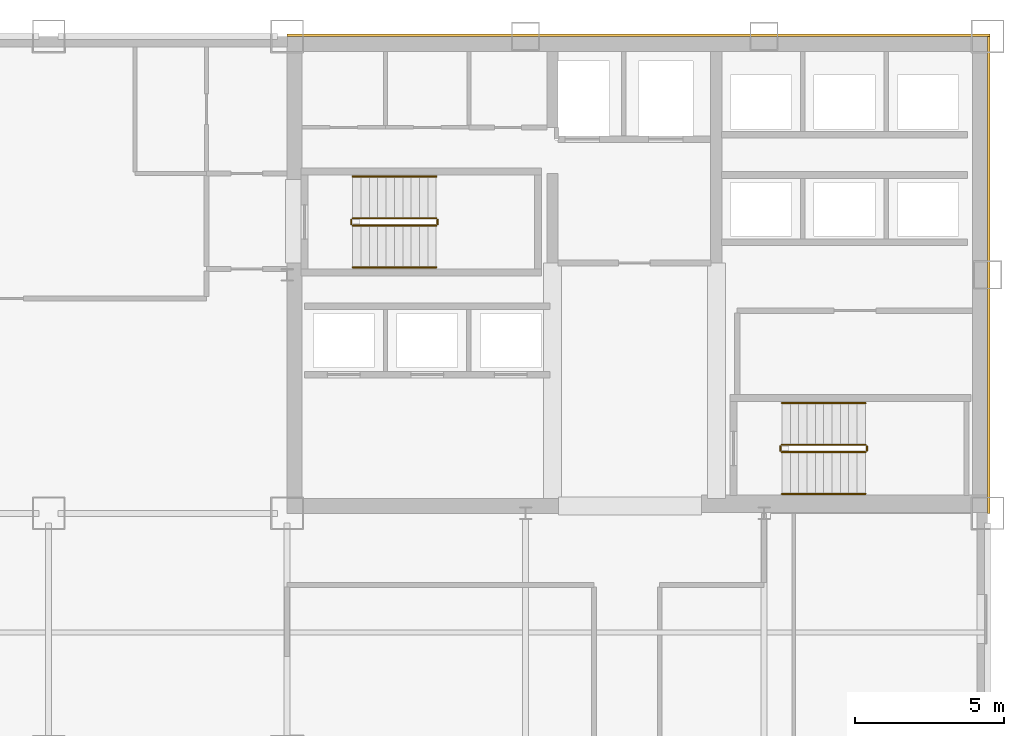
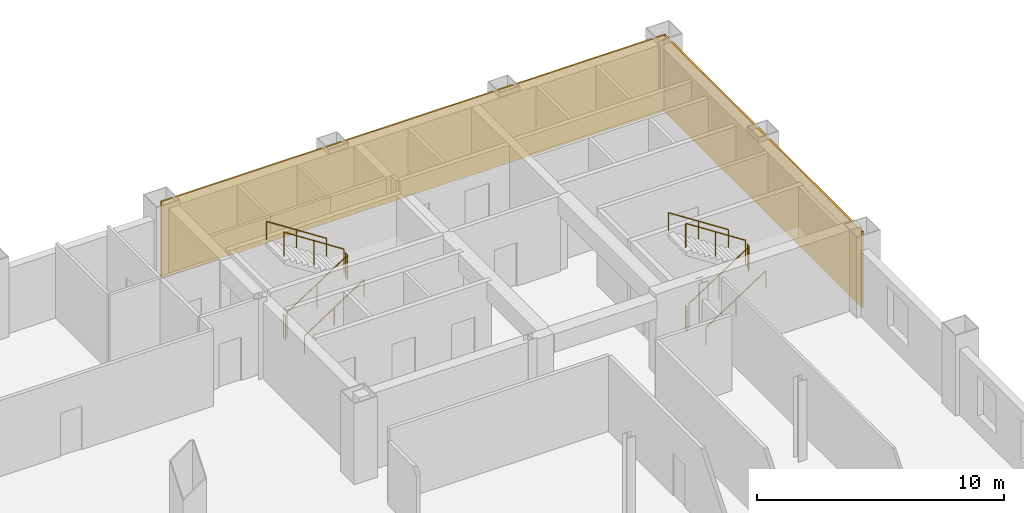
# One storey, part 9 of 9: 12 railings, 2 coverings.
"""IFC4 building model written with IfcOpenShell, lengths in metres."""

from ifc_helpers import new_model, si_unit, direction, frame, origin, origin_2d, place, context, subcontext, project, spatial, rectangle, circle, extrude, material, layer, layer_set, type_object, element, save


model = new_model("IFC4")

# Units and contexts
model_context = context("Model", 3, precision=1e-05, world=origin(), true_north=direction((0.0, 1.0)))
body_context = subcontext(model_context, "Body", "Model", "MODEL_VIEW")
ifc_project = project(units=[si_unit("LENGTHUNIT", "METRE"), si_unit("AREAUNIT", "SQUARE_METRE"), si_unit("VOLUMEUNIT", "CUBIC_METRE"), si_unit("PLANEANGLEUNIT", "RADIAN"), si_unit("MASSUNIT", "GRAM", prefix="KILO")], contexts=[model_context])

# Site, building, storey
site_placement = place(None, origin())
site = spatial("IfcSite", under=ifc_project, at=site_placement, CompositionType="ELEMENT")
building_placement = place(site_placement, origin())
building = spatial("IfcBuilding", under=site, at=building_placement, Name="Qianrong Seaharbour Tower", CompositionType="ELEMENT")
storey_placement = place(building_placement, frame((0.0, 0.0, 155.0)))
storey = spatial("IfcBuildingStorey", under=building, at=storey_placement, Name="L37", CompositionType="ELEMENT", Elevation=155.0)

# Coverings
ifc_material_1 = material(Name="Unitised red brick cladding on Precast concrete C45/55", Category="masonry")
ifc_layer = layer(ifc_material_1, 0.080078125)
ifc_layer_set = layer_set([ifc_layer], Name="Unitised red brick cladding on Precast concrete C45/55")
covering_type = type_object("IfcCoveringType", Name="COV-CLAD-RED-BRICK-80", PredefinedType="CLADDING", material=ifc_layer_set)
covering_1_placement = place(storey_placement, frame((52.2900390625, 52.0400390625, 0.0), z_axis=(0.0, 0.0, 1.0), x_axis=(1.0, 0.0, 0.0)))
element("IfcCovering", 1, at=covering_1_placement, inside=storey, type_object=covering_type, Name="L37 North Core Brick Veneer Cladding", PredefinedType="CLADDING", context=body_context, shape_type="SweptSolid", body=[
    extrude(rectangle(XDim=23.580078125, YDim=0.080078125, at=origin_2d()), origin(), (0.0, 0.0, 1.0), 3.764892578125),
])
covering_2_placement = place(storey_placement, frame((64.0400390625, 44.0, 0.0), z_axis=(0.0, 0.0, 1.0), x_axis=(1.0, 0.0, 0.0)))
element("IfcCovering", 2, at=covering_2_placement, inside=storey, type_object=covering_type, Name="L37 East Core Brick Veneer Cladding", PredefinedType="CLADDING", context=body_context, shape_type="SweptSolid", body=[
    extrude(rectangle(XDim=0.080078125, YDim=16.0, at=origin_2d()), origin(), (0.0, 0.0, 1.0), 3.764892578125),
])

# Railings
ifc_material_2 = material(Name="Galvanized painted steel SN400B stair guard", Category="steel")
railing_type_1 = type_object("IfcRailingType", Name="RAIL-STAIR-GUARD-1220", PredefinedType="GUARDRAIL", material=ifc_material_2)
railing_1_placement = place(storey_placement, frame((42.699951171875, 45.64990234375, 0.181884765625)))
element("IfcRailing", 3, at=railing_1_placement, inside=storey, type_object=railing_type_1, Name="L37 ST-1 stair guard 1", PredefinedType="GUARDRAIL", context=body_context, shape_type="SweptSolid", body=[
    extrude(circle(Radius=0.02392578125, at=origin_2d()), frame((0.0, 0.0, 1.19580078125), z_axis=(0.838705829183, 0.0, 0.544584733623), x_axis=(0.0, 1.0, 0.0)), (0.0, 0.0, 1.0), 3.338623046875),
    extrude(circle(Radius=0.02099609375, at=origin_2d()), origin(), (0.0, 0.0, 1.0), 1.171875),
    extrude(circle(Radius=0.02099609375, at=origin_2d()), frame((1.39990234375, 0.0, 0.9091796875)), (0.0, 0.0, 1.0), 1.171875),
    extrude(circle(Radius=0.02099609375, at=origin_2d()), frame((2.800048828125, 0.0, 1.818115234375)), (0.0, 0.0, 1.0), 1.171875),
])
railing_2_placement = place(storey_placement, frame((45.550048828125, 45.699951171875, 2.0)))
element("IfcRailing", 4, at=railing_2_placement, inside=storey, type_object=railing_type_1, Name="L37 ST-1 stair guard 2", PredefinedType="GUARDRAIL", context=body_context, shape_type="SweptSolid", body=[
    extrude(circle(Radius=0.02392578125, at=origin_2d()), frame((0.0, 0.0, 1.19580078125), z_axis=(0.0, 1.0, 0.0), x_axis=(-1.0, 0.0, 0.0)), (0.0, 0.0, 1.0), 0.150146484375),
    extrude(circle(Radius=0.02099609375, at=origin_2d()), origin(), (0.0, 0.0, 1.0), 1.171875),
    extrude(circle(Radius=0.02099609375, at=origin_2d()), frame((0.0, 0.150146484375, 0.0)), (0.0, 0.0, 1.0), 1.171875),
])
railing_3_placement = place(storey_placement, frame((45.5, 45.89990234375, 2.181884765625)))
element("IfcRailing", 5, at=railing_3_placement, inside=storey, type_object=railing_type_1, Name="L37 ST-1 stair guard 3", PredefinedType="GUARDRAIL", context=body_context, shape_type="SweptSolid", body=[
    extrude(circle(Radius=0.02392578125, at=origin_2d()), frame((0.0, 0.0, 1.19580078125), z_axis=(-0.838705829183, 0.0, 0.544584733623), x_axis=(0.0, -1.0, 0.0)), (0.0, 0.0, 1.0), 3.338623046875),
    extrude(circle(Radius=0.02099609375, at=origin_2d()), origin(), (0.0, 0.0, 1.0), 1.171875),
    extrude(circle(Radius=0.02099609375, at=origin_2d()), frame((-1.39990234375, 0.0, 0.9091796875)), (0.0, 0.0, 1.0), 1.171875),
    extrude(circle(Radius=0.02099609375, at=origin_2d()), frame((-2.800048828125, 0.0, 1.818115234375)), (0.0, 0.0, 1.0), 1.171875),
])
railing_4_placement = place(storey_placement, frame((42.64990234375, 45.699951171875, 0.0)))
element("IfcRailing", 6, at=railing_4_placement, inside=storey, type_object=railing_type_1, Name="L37 ST-1 stair guard 4", PredefinedType="GUARDRAIL", context=body_context, shape_type="SweptSolid", body=[
    extrude(circle(Radius=0.02392578125, at=origin_2d()), frame((0.0, 0.0, 1.19580078125), z_axis=(0.0, 1.0, 0.0), x_axis=(-1.0, 0.0, 0.0)), (0.0, 0.0, 1.0), 0.150146484375),
    extrude(circle(Radius=0.02099609375, at=origin_2d()), origin(), (0.0, 0.0, 1.0), 1.171875),
    extrude(circle(Radius=0.02099609375, at=origin_2d()), frame((0.0, 0.150146484375, 0.0)), (0.0, 0.0, 1.0), 1.171875),
])
railing_5_placement = place(storey_placement, frame((57.10009765625, 38.050048828125, 0.181884765625)))
element("IfcRailing", 7, at=railing_5_placement, inside=storey, type_object=railing_type_1, Name="L37 ST-2 stair guard 1", PredefinedType="GUARDRAIL", context=body_context, shape_type="SweptSolid", body=[
    extrude(circle(Radius=0.02392578125, at=origin_2d()), frame((0.0, 0.0, 1.19580078125), z_axis=(0.83868413941, 0.0, 0.544618136222), x_axis=(0.0, 1.0, 0.0)), (0.0, 0.0, 1.0), 3.33837890625),
    extrude(circle(Radius=0.02099609375, at=origin_2d()), origin(), (0.0, 0.0, 1.0), 1.171875),
    extrude(circle(Radius=0.02099609375, at=origin_2d()), frame((1.39990234375, 0.0, 0.9091796875)), (0.0, 0.0, 1.0), 1.171875),
    extrude(circle(Radius=0.02099609375, at=origin_2d()), frame((2.7998046875, 0.0, 1.818115234375)), (0.0, 0.0, 1.0), 1.171875),
])
railing_6_placement = place(storey_placement, frame((59.949951171875, 38.10009765625, 2.0)))
element("IfcRailing", 8, at=railing_6_placement, inside=storey, type_object=railing_type_1, Name="L37 ST-2 stair guard 2", PredefinedType="GUARDRAIL", context=body_context, shape_type="SweptSolid", body=[
    extrude(circle(Radius=0.02392578125, at=origin_2d()), frame((0.0, 0.0, 1.19580078125), z_axis=(0.0, 1.0, 0.0), x_axis=(-1.0, 0.0, 0.0)), (0.0, 0.0, 1.0), 0.14990234375),
    extrude(circle(Radius=0.02099609375, at=origin_2d()), origin(), (0.0, 0.0, 1.0), 1.171875),
    extrude(circle(Radius=0.02099609375, at=origin_2d()), frame((0.0, 0.14990234375, 0.0)), (0.0, 0.0, 1.0), 1.171875),
])
railing_7_placement = place(storey_placement, frame((59.89990234375, 38.300048828125, 2.181884765625)))
element("IfcRailing", 9, at=railing_7_placement, inside=storey, type_object=railing_type_1, Name="L37 ST-2 stair guard 3", PredefinedType="GUARDRAIL", context=body_context, shape_type="SweptSolid", body=[
    extrude(circle(Radius=0.02392578125, at=origin_2d()), frame((0.0, 0.0, 1.19580078125), z_axis=(-0.83868413941, 0.0, 0.544618136222), x_axis=(0.0, -1.0, 0.0)), (0.0, 0.0, 1.0), 3.33837890625),
    extrude(circle(Radius=0.02099609375, at=origin_2d()), origin(), (0.0, 0.0, 1.0), 1.171875),
    extrude(circle(Radius=0.02099609375, at=origin_2d()), frame((-1.39990234375, 0.0, 0.9091796875)), (0.0, 0.0, 1.0), 1.171875),
    extrude(circle(Radius=0.02099609375, at=origin_2d()), frame((-2.7998046875, 0.0, 1.818115234375)), (0.0, 0.0, 1.0), 1.171875),
])
railing_8_placement = place(storey_placement, frame((57.050048828125, 38.10009765625, 0.0)))
element("IfcRailing", 10, at=railing_8_placement, inside=storey, type_object=railing_type_1, Name="L37 ST-2 stair guard 4", PredefinedType="GUARDRAIL", context=body_context, shape_type="SweptSolid", body=[
    extrude(circle(Radius=0.02392578125, at=origin_2d()), frame((0.0, 0.0, 1.19580078125), z_axis=(0.0, 1.0, 0.0), x_axis=(-1.0, 0.0, 0.0)), (0.0, 0.0, 1.0), 0.14990234375),
    extrude(circle(Radius=0.02099609375, at=origin_2d()), origin(), (0.0, 0.0, 1.0), 1.171875),
    extrude(circle(Radius=0.02099609375, at=origin_2d()), frame((0.0, 0.14990234375, 0.0)), (0.0, 0.0, 1.0), 1.171875),
])
ifc_material_3 = material(Name="Stainless steel SUS316L continuous handrail", Category="steel")
railing_type_2 = type_object("IfcRailingType", Name="RAIL-STAIR-HANDRAIL-900", PredefinedType="HANDRAIL", material=ifc_material_3)
railing_9_placement = place(storey_placement, frame((42.699951171875, 44.25, 0.181884765625)))
element("IfcRailing", 11, at=railing_9_placement, inside=storey, type_object=railing_type_2, Name="L37 ST-1 stair handrail 1", PredefinedType="HANDRAIL", context=body_context, shape_type="SweptSolid", body=[
    extrude(circle(Radius=0.02392578125, at=origin_2d()), frame((0.0, 0.0, 0.8759765625), z_axis=(0.838705829183, 0.0, 0.544584733623), x_axis=(0.0, 1.0, 0.0)), (0.0, 0.0, 1.0), 3.338623046875),
    extrude(circle(Radius=0.02099609375, at=origin_2d()), origin(), (0.0, 0.0, 1.0), 0.851806640625),
    extrude(circle(Radius=0.02099609375, at=origin_2d()), frame((1.39990234375, 0.0, 0.9091796875)), (0.0, 0.0, 1.0), 0.851806640625),
    extrude(circle(Radius=0.02099609375, at=origin_2d()), frame((2.800048828125, 0.0, 1.818115234375)), (0.0, 0.0, 1.0), 0.851806640625),
])
railing_10_placement = place(storey_placement, frame((45.5, 47.300048828125, 2.181884765625)))
element("IfcRailing", 12, at=railing_10_placement, inside=storey, type_object=railing_type_2, Name="L37 ST-1 stair handrail 2", PredefinedType="HANDRAIL", context=body_context, shape_type="SweptSolid", body=[
    extrude(circle(Radius=0.02392578125, at=origin_2d()), frame((0.0, 0.0, 0.8759765625), z_axis=(-0.838705829183, 0.0, 0.544584733623), x_axis=(0.0, -1.0, 0.0)), (0.0, 0.0, 1.0), 3.338623046875),
    extrude(circle(Radius=0.02099609375, at=origin_2d()), origin(), (0.0, 0.0, 1.0), 0.851806640625),
    extrude(circle(Radius=0.02099609375, at=origin_2d()), frame((-1.39990234375, 0.0, 0.9091796875)), (0.0, 0.0, 1.0), 0.851806640625),
    extrude(circle(Radius=0.02099609375, at=origin_2d()), frame((-2.800048828125, 0.0, 1.818115234375)), (0.0, 0.0, 1.0), 0.851806640625),
])
railing_11_placement = place(storey_placement, frame((57.10009765625, 36.64990234375, 0.181884765625)))
element("IfcRailing", 13, at=railing_11_placement, inside=storey, type_object=railing_type_2, Name="L37 ST-2 stair handrail 1", PredefinedType="HANDRAIL", context=body_context, shape_type="SweptSolid", body=[
    extrude(circle(Radius=0.02392578125, at=origin_2d()), frame((0.0, 0.0, 0.8759765625), z_axis=(0.83868413941, 0.0, 0.544618136222), x_axis=(0.0, 1.0, 0.0)), (0.0, 0.0, 1.0), 3.33837890625),
    extrude(circle(Radius=0.02099609375, at=origin_2d()), origin(), (0.0, 0.0, 1.0), 0.851806640625),
    extrude(circle(Radius=0.02099609375, at=origin_2d()), frame((1.39990234375, 0.0, 0.9091796875)), (0.0, 0.0, 1.0), 0.851806640625),
    extrude(circle(Radius=0.02099609375, at=origin_2d()), frame((2.7998046875, 0.0, 1.818115234375)), (0.0, 0.0, 1.0), 0.851806640625),
])
railing_12_placement = place(storey_placement, frame((59.89990234375, 39.699951171875, 2.181884765625)))
element("IfcRailing", 14, at=railing_12_placement, inside=storey, type_object=railing_type_2, Name="L37 ST-2 stair handrail 2", PredefinedType="HANDRAIL", context=body_context, shape_type="SweptSolid", body=[
    extrude(circle(Radius=0.02392578125, at=origin_2d()), frame((0.0, 0.0, 0.8759765625), z_axis=(-0.83868413941, 0.0, 0.544618136222), x_axis=(0.0, -1.0, 0.0)), (0.0, 0.0, 1.0), 3.33837890625),
    extrude(circle(Radius=0.02099609375, at=origin_2d()), origin(), (0.0, 0.0, 1.0), 0.851806640625),
    extrude(circle(Radius=0.02099609375, at=origin_2d()), frame((-1.39990234375, 0.0, 0.9091796875)), (0.0, 0.0, 1.0), 0.851806640625),
    extrude(circle(Radius=0.02099609375, at=origin_2d()), frame((-2.7998046875, 0.0, 1.818115234375)), (0.0, 0.0, 1.0), 0.851806640625),
])

save(model, "model.ifc")
